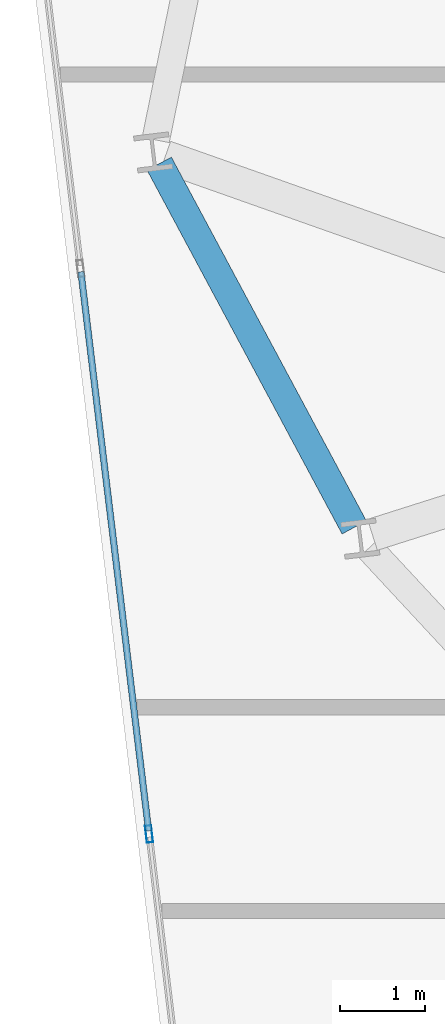
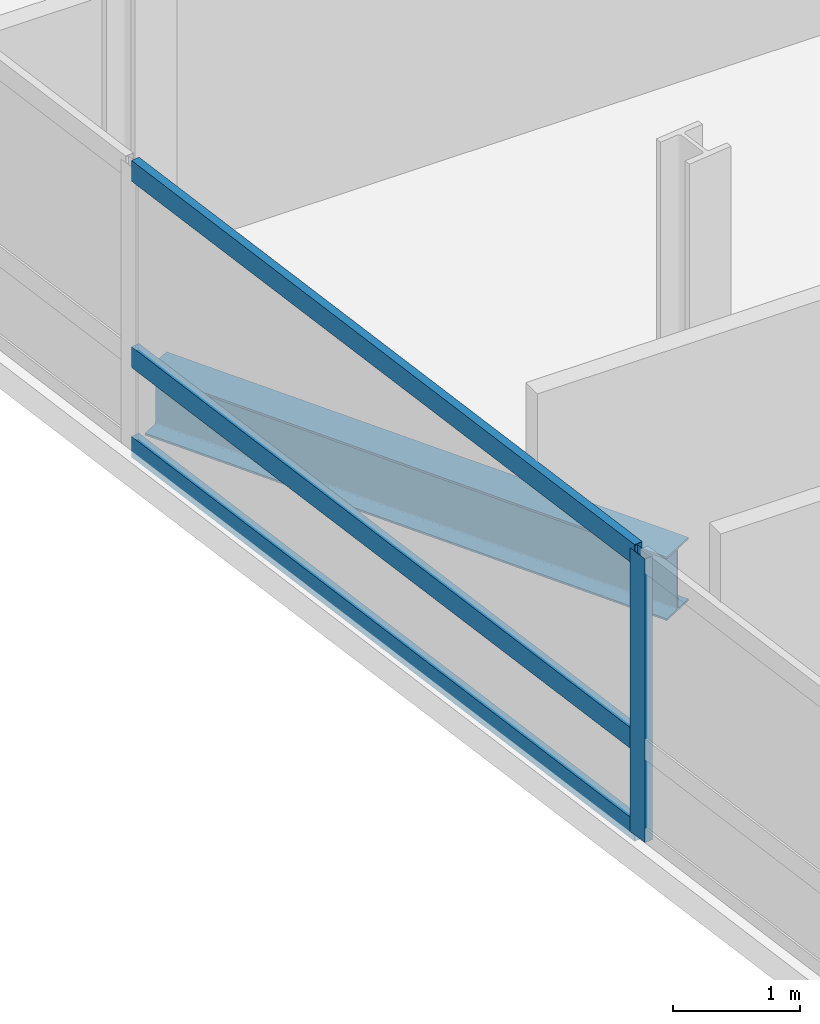
# One storey, part 4 of 24: 4 members, 1 beam, 1 element without a shape of its own.
"""IFC4 building model written with IfcOpenShell, lengths in metres."""

from ifc_helpers import new_model, si_unit, direction, frame, origin, origin_2d, place, context, subcontext, project, spatial, hollow_rectangle, i_section, extrude, material, layer, layer_set, material_profile, profile_set, type_object, element, aggregate, save


model = new_model("IFC4")

# Units and contexts
model_context = context("Model", 3, precision=1e-05, world=origin(), true_north=direction((0.0, 1.0)))
body_context = subcontext(model_context, "Body", "Model", "MODEL_VIEW")
ifc_project = project(units=[si_unit("LENGTHUNIT", "METRE"), si_unit("AREAUNIT", "SQUARE_METRE"), si_unit("VOLUMEUNIT", "CUBIC_METRE"), si_unit("PLANEANGLEUNIT", "RADIAN"), si_unit("MASSUNIT", "GRAM", prefix="KILO")], contexts=[model_context])

# Site, building, storey
site_placement = place(None, origin())
site = spatial("IfcSite", under=ifc_project, at=site_placement, CompositionType="ELEMENT")
building_placement = place(site_placement, origin())
building = spatial("IfcBuilding", under=site, at=building_placement, Name="Varnelok Gate Tower", CompositionType="ELEMENT")
storey_placement = place(building_placement, frame((0.0, 0.0, 196.800048828125)))
storey = spatial("IfcBuildingStorey", under=building, at=storey_placement, Name="L50", CompositionType="ELEMENT", Elevation=196.800048828125)

# Beam
ifc_material_1 = material(Name="Structural Steel ASTM A992 Grade 50", Category="steel")
ifc_material_profile_1 = material_profile(ifc_material_1, i_section(OverallWidth=0.323974609375, OverallDepth=0.611083984375, WebThickness=0.0126953125, FlangeThickness=0.01904296875, FilletRadius=0.01806640625, at=origin_2d()), Name="W24X104")
ifc_profile_set_1 = profile_set([ifc_material_profile_1], Name="Structural Steel ASTM A992 Grade 50")
beam_type = type_object("IfcBeamType", Name="BM-SPN-W24X104", PredefinedType="SPANDREL", material=ifc_profile_set_1)
beam_placement = place(storey_placement, frame((4.816650390625, 25.61474609375, -0.5556640625), z_axis=(0.472471917257, -0.881345725242, 0.0), x_axis=(0.881345725242, 0.472471917257, 0.0)))
element("IfcBeam", 1, at=beam_placement, inside=storey, type_object=beam_type, Name="L50 Perimeter Spandrel Beam 15", PredefinedType="SPANDREL", context=body_context, shape_type="SweptSolid", body=[
    extrude(i_section(OverallWidth=0.323974609375, OverallDepth=0.611083984375, WebThickness=0.0126953125, FlangeThickness=0.01904296875, FilletRadius=0.01806640625, at=origin_2d()), origin(), (0.0, 0.0, 1.0), 4.8408203125),
])

# Curtain wall, members
ifc_material_2 = material(Name="Anodized Aluminum Alloy 6063-T6", Category="aluminium")
ifc_layer = layer(ifc_material_2, 0.179931640625)
ifc_layer_set = layer_set([ifc_layer], Name="Anodized Aluminum Alloy 6063-T6")
curtain_wall_type = type_object("IfcCurtainWallType", Name="CW4-RESIDENCE-VISION", PredefinedType="USERDEFINED", material=ifc_layer_set)
curtain_wall_placement = place(storey_placement, origin())
curtain_wall = element("IfcCurtainWall", 2, at=curtain_wall_placement, inside=storey, type_object=curtain_wall_type, Name="L50 West End Vision Curtain Wall", ObjectType="UNITISED CURTAIN WALL", PredefinedType="USERDEFINED")
ifc_material_profile_2 = material_profile(ifc_material_2, hollow_rectangle(XDim=0.074951171875, YDim=0.199951171875, WallThickness=0.00390625, at=origin_2d()), Name="ALU200X75X4")
ifc_profile_set_2 = profile_set([ifc_material_profile_2], Name="Anodized Aluminum Alloy 6063-T6")
member_type_1 = type_object("IfcMemberType", Name="CW-MULL-200", PredefinedType="MULLION", material=ifc_profile_set_2)
member_1_placement = place(storey_placement, frame((4.697509765625, 17.7529296875, 0.0), z_axis=(0.0, 0.0, 1.0), x_axis=(-0.992732188751, -0.120344511371, 0.0)))
member_1 = element("IfcMember", 3, at=member_1_placement, type_object=member_type_1, Name="CW4 mullion 3", PredefinedType="MULLION", context=body_context, shape_type="SweptSolid", body=[
    extrude(hollow_rectangle(XDim=0.074951171875, YDim=0.199951171875, WallThickness=0.00390625, at=origin_2d()), origin(), (0.0, 0.0, 1.0), 2.72998046875),
])
ifc_material_profile_3 = material_profile(ifc_material_2, hollow_rectangle(XDim=0.074951171875, YDim=0.199951171875, WallThickness=0.00390625, at=origin_2d()), Name="ALU200X75X4")
ifc_profile_set_3 = profile_set([ifc_material_profile_3], Name="Anodized Aluminum Alloy 6063-T6")
member_type_2 = type_object("IfcMemberType", Name="CW-TRAN-200", PredefinedType="USERDEFINED", material=ifc_profile_set_3)
member_2_placement = place(storey_placement, frame((4.69287109375, 17.790283203125, 0.037353515625), z_axis=(-0.120317016873, 0.992735521401, 0.0), x_axis=(-0.992735521401, -0.120317016873, 0.0)))
member_2 = element("IfcMember", 4, at=member_2_placement, type_object=member_type_2, Name="CW4 transom 3.1", ObjectType="TRANSOM", PredefinedType="USERDEFINED", context=body_context, shape_type="SweptSolid", body=[
    extrude(hollow_rectangle(XDim=0.074951171875, YDim=0.199951171875, WallThickness=0.00390625, at=origin_2d()), origin(), (0.0, 0.0, 1.0), 6.60498046875),
])
member_3_placement = place(storey_placement, frame((4.69287109375, 17.790283203125, 0.89990234375), z_axis=(-0.120317016873, 0.992735521401, 0.0), x_axis=(-0.992735521401, -0.120317016873, 0.0)))
member_3 = element("IfcMember", 5, at=member_3_placement, type_object=member_type_2, Name="CW4 transom 3.2", ObjectType="TRANSOM", PredefinedType="USERDEFINED", context=body_context, shape_type="SweptSolid", body=[
    extrude(hollow_rectangle(XDim=0.074951171875, YDim=0.199951171875, WallThickness=0.00390625, at=origin_2d()), origin(), (0.0, 0.0, 1.0), 6.60498046875),
])
member_4_placement = place(storey_placement, frame((4.69287109375, 17.790283203125, 2.6923828125), z_axis=(-0.120317016873, 0.992735521401, 0.0), x_axis=(-0.992735521401, -0.120317016873, 0.0)))
member_4 = element("IfcMember", 6, at=member_4_placement, type_object=member_type_2, Name="CW4 transom 3.3", ObjectType="TRANSOM", PredefinedType="USERDEFINED", context=body_context, shape_type="SweptSolid", body=[
    extrude(hollow_rectangle(XDim=0.074951171875, YDim=0.199951171875, WallThickness=0.00390625, at=origin_2d()), origin(), (0.0, 0.0, 1.0), 6.60498046875),
])
aggregate(curtain_wall, [member_1, member_2, member_3, member_4])

save(model, "model.ifc")
